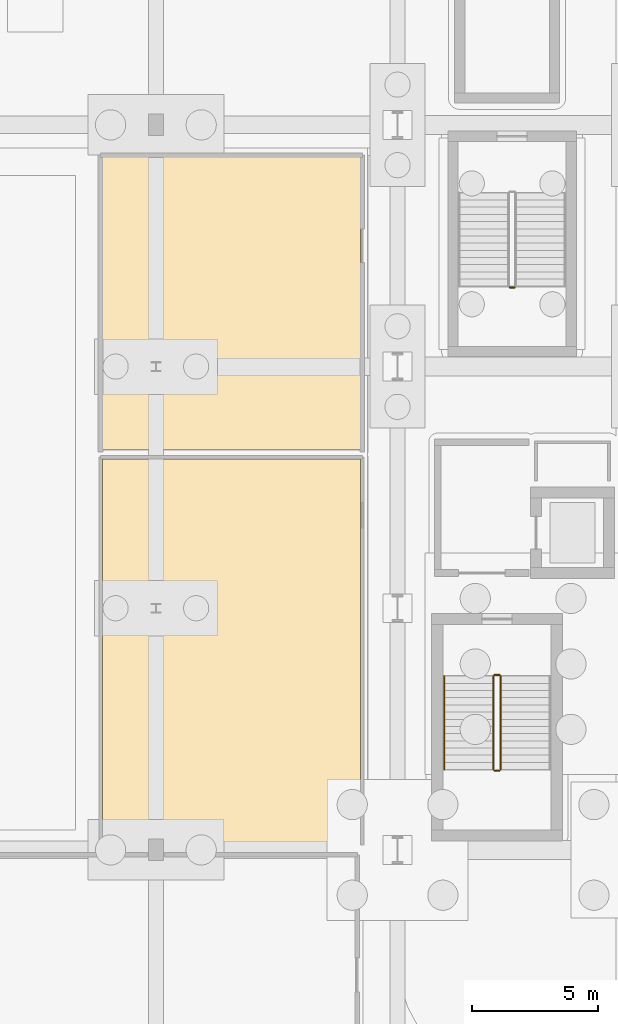
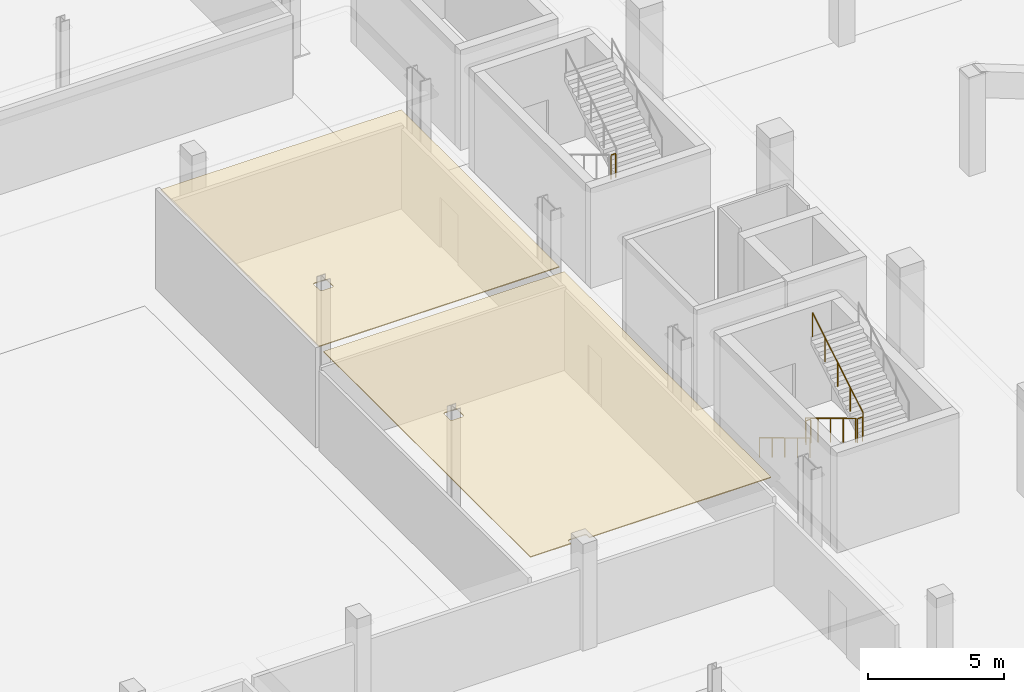
# One storey, part 42 of 67: 6 railings, 2 coverings.
"""IFC4 building model written with IfcOpenShell, lengths in metres."""

from ifc_helpers import new_model, si_unit, direction, frame, origin, origin_2d, place, context, subcontext, project, spatial, polyline, circle, outline, extrude, material, layer, layer_set, type_object, element, save


model = new_model("IFC4")

# Units and contexts
model_context = context("Model", 3, precision=1e-05, world=origin(), true_north=direction((0.0, 1.0)))
body_context = subcontext(model_context, "Body", "Model", "MODEL_VIEW")
ifc_project = project(units=[si_unit("LENGTHUNIT", "METRE"), si_unit("AREAUNIT", "SQUARE_METRE"), si_unit("VOLUMEUNIT", "CUBIC_METRE"), si_unit("PLANEANGLEUNIT", "RADIAN"), si_unit("MASSUNIT", "GRAM", prefix="KILO")], contexts=[model_context])

# Site, building, storey
site_placement = place(None, origin())
site = spatial("IfcSite", under=ifc_project, at=site_placement, CompositionType="ELEMENT")
building_placement = place(site_placement, origin())
building = spatial("IfcBuilding", under=site, at=building_placement, Name="Caelomonte Colonnade Arena", CompositionType="ELEMENT")
storey_placement = place(building_placement, frame((0.0, 0.0, -4.800048828125)))
storey = spatial("IfcBuildingStorey", under=building, at=storey_placement, Name="B1", CompositionType="ELEMENT", Elevation=-4.800048828125)

# Coverings
ifc_material_1 = material(Name="Perforated acoustic mineral-fibre ceiling")
ifc_layer = layer(ifc_material_1, 0.0400390625)
ifc_layer_set = layer_set([ifc_layer], Name="Perforated acoustic mineral-fibre ceiling")
covering_type = type_object("IfcCoveringType", Name="INT-CV-CEIL1", PredefinedType="CEILING", material=ifc_layer_set)
covering_1_placement = place(storey_placement, frame((0.0, 0.0, 4.420166015625)))
element("IfcCovering", 1, at=covering_1_placement, inside=storey, type_object=covering_type, Name="B1 Star Dressing Suite acoustic ceiling", PredefinedType="CEILING", context=body_context, shape_type="SweptSolid", body=[
    extrude(outline(polyline([(45.8798828125, 53.919921875), (45.8798828125, 38.679931640625), (47.60498046875, 38.679931640625), (47.60498046875, 38.840087890625), (47.60546875, 38.847900390625), (47.6064453125, 38.855712890625), (47.6083984375, 38.86328125), (47.611083984375, 38.87060546875), (47.614501953125, 38.877685546875), (47.618408203125, 38.884521484375), (47.623291015625, 38.890869140625), (47.62841796875, 38.896484375), (47.63427734375, 38.90185546875), (47.640625, 38.906494140625), (47.647216796875, 38.91064453125), (47.654296875, 38.913818359375), (47.661865234375, 38.91650390625), (47.66943359375, 38.91845703125), (47.67724609375, 38.919677734375), (47.68505859375, 38.919921875), (48.31494140625, 38.919921875), (48.32275390625, 38.919677734375), (48.33056640625, 38.91845703125), (48.338134765625, 38.91650390625), (48.345703125, 38.913818359375), (48.352783203125, 38.91064453125), (48.359375, 38.906494140625), (48.36572265625, 38.90185546875), (48.37158203125, 38.896484375), (48.376708984375, 38.890869140625), (48.381591796875, 38.884521484375), (48.385498046875, 38.877685546875), (48.388916015625, 38.87060546875), (48.3916015625, 38.86328125), (48.3935546875, 38.855712890625), (48.39453125, 38.847900390625), (48.39501953125, 38.840087890625), (48.39501953125, 38.679931640625), (56.1201171875, 38.679931640625), (56.1201171875, 53.919921875), (45.8798828125, 53.919921875)]), holes=[polyline([(47.718505859375, 47.791015625), (47.718017578125, 47.798828125), (47.718017578125, 48.201171875), (47.718505859375, 48.208984375), (47.719482421875, 48.216796875), (47.721435546875, 48.224365234375), (47.72412109375, 48.231689453125), (47.727294921875, 48.239013671875), (47.7314453125, 48.24560546875), (47.736083984375, 48.251953125), (47.741455078125, 48.2578125), (47.747314453125, 48.262939453125), (47.753662109375, 48.267578125), (47.76025390625, 48.271728515625), (47.767333984375, 48.275146484375), (47.77490234375, 48.27783203125), (47.782470703125, 48.27978515625), (47.790283203125, 48.28076171875), (47.798095703125, 48.28125), (48.201904296875, 48.28125), (48.209716796875, 48.28076171875), (48.217529296875, 48.27978515625), (48.22509765625, 48.27783203125), (48.232666015625, 48.275146484375), (48.23974609375, 48.271728515625), (48.246337890625, 48.267578125), (48.252685546875, 48.262939453125), (48.258544921875, 48.2578125), (48.263916015625, 48.251953125), (48.2685546875, 48.24560546875), (48.272705078125, 48.239013671875), (48.27587890625, 48.231689453125), (48.278564453125, 48.224365234375), (48.280517578125, 48.216796875), (48.281494140625, 48.208984375), (48.281982421875, 48.201171875), (48.281982421875, 47.798828125), (48.281494140625, 47.791015625), (48.280517578125, 47.783203125), (48.278564453125, 47.775634765625), (48.27587890625, 47.768310546875), (48.272705078125, 47.760986328125), (48.2685546875, 47.75439453125), (48.263916015625, 47.748046875), (48.258544921875, 47.7421875), (48.252685546875, 47.737060546875), (48.246337890625, 47.732421875), (48.23974609375, 47.728271484375), (48.232666015625, 47.724853515625), (48.22509765625, 47.72216796875), (48.217529296875, 47.72021484375), (48.209716796875, 47.71923828125), (48.201904296875, 47.71875), (47.798095703125, 47.71875), (47.790283203125, 47.71923828125), (47.782470703125, 47.72021484375), (47.77490234375, 47.72216796875), (47.767333984375, 47.724853515625), (47.76025390625, 47.728271484375), (47.753662109375, 47.732421875), (47.747314453125, 47.737060546875), (47.741455078125, 47.7421875), (47.736083984375, 47.748046875), (47.7314453125, 47.75439453125), (47.727294921875, 47.760986328125), (47.72412109375, 47.768310546875), (47.721435546875, 47.775634765625), (47.719482421875, 47.783203125), (47.718505859375, 47.791015625)])]), origin(), (0.0, 0.0, 1.0), 0.039794921875),
])
covering_2_placement = place(storey_placement, frame((0.0, 0.0, 4.420166015625)))
element("IfcCovering", 2, at=covering_2_placement, inside=storey, type_object=covering_type, Name="B1 Doping Control Clinic acoustic ceiling", PredefinedType="CEILING", context=body_context, shape_type="SweptSolid", body=[
    extrude(outline(polyline([(56.1201171875, 65.919921875), (45.8798828125, 65.919921875), (45.8798828125, 54.280029296875), (56.1201171875, 54.280029296875), (56.1201171875, 65.919921875)]), holes=[polyline([(47.718505859375, 57.39111328125), (47.718017578125, 57.398681640625), (47.718017578125, 57.80126953125), (47.718505859375, 57.80908203125), (47.719482421875, 57.81689453125), (47.721435546875, 57.824462890625), (47.72412109375, 57.831787109375), (47.727294921875, 57.8388671875), (47.7314453125, 57.845703125), (47.736083984375, 57.85205078125), (47.741455078125, 57.85791015625), (47.747314453125, 57.863037109375), (47.753662109375, 57.86767578125), (47.76025390625, 57.871826171875), (47.767333984375, 57.875), (47.77490234375, 57.877685546875), (47.782470703125, 57.879638671875), (47.790283203125, 57.880859375), (47.798095703125, 57.881103515625), (48.201904296875, 57.881103515625), (48.209716796875, 57.880859375), (48.217529296875, 57.879638671875), (48.22509765625, 57.877685546875), (48.232666015625, 57.875), (48.23974609375, 57.871826171875), (48.246337890625, 57.86767578125), (48.252685546875, 57.863037109375), (48.258544921875, 57.85791015625), (48.263916015625, 57.85205078125), (48.2685546875, 57.845703125), (48.272705078125, 57.8388671875), (48.27587890625, 57.831787109375), (48.278564453125, 57.824462890625), (48.280517578125, 57.81689453125), (48.281494140625, 57.80908203125), (48.281982421875, 57.80126953125), (48.281982421875, 57.398681640625), (48.281494140625, 57.39111328125), (48.280517578125, 57.38330078125), (48.278564453125, 57.37548828125), (48.27587890625, 57.3681640625), (48.272705078125, 57.361083984375), (48.2685546875, 57.3544921875), (48.263916015625, 57.347900390625), (48.258544921875, 57.34228515625), (48.252685546875, 57.3369140625), (48.246337890625, 57.332275390625), (48.23974609375, 57.328125), (48.232666015625, 57.324951171875), (48.22509765625, 57.322265625), (48.217529296875, 57.3203125), (48.209716796875, 57.319091796875), (48.201904296875, 57.31884765625), (47.798095703125, 57.31884765625), (47.790283203125, 57.319091796875), (47.782470703125, 57.3203125), (47.77490234375, 57.322265625), (47.767333984375, 57.324951171875), (47.76025390625, 57.328125), (47.753662109375, 57.332275390625), (47.747314453125, 57.3369140625), (47.741455078125, 57.34228515625), (47.736083984375, 57.347900390625), (47.7314453125, 57.3544921875), (47.727294921875, 57.361083984375), (47.72412109375, 57.3681640625), (47.721435546875, 57.37548828125), (47.719482421875, 57.38330078125), (47.718505859375, 57.39111328125)])]), origin(), (0.0, 0.0, 1.0), 0.039794921875),
])

# Railings
ifc_material_2 = material(Name="Painted galvanized steel stair guard", Category="steel")
railing_type_1 = type_object("IfcRailingType", Name="INT-RL-GRD", PredefinedType="GUARDRAIL", material=ifc_material_2)
railing_1_placement = place(storey_placement, frame((61.39990234375, 45.300048828125, 0.17138671875)))
element("IfcRailing", 3, at=railing_1_placement, inside=storey, type_object=railing_type_1, Name="B1 ST-01 stair guard 1", PredefinedType="GUARDRAIL", context=body_context, shape_type="SweptSolid", body=[
    extrude(circle(Radius=0.02392578125, at=origin_2d()), frame((0.0, 0.0, 1.076171875), z_axis=(0.0, -0.856909459561, 0.515466951525), x_axis=(1.0, 0.0, 0.0)), (0.0, 0.0, 1.0), 4.32373046875),
    extrude(circle(Radius=0.02099609375, at=origin_2d()), origin(), (0.0, 0.0, 1.0), 1.048095703125),
    extrude(circle(Radius=0.02099609375, at=origin_2d()), frame((0.0, -0.92626953125, 0.55712890625)), (0.0, 0.0, 1.0), 1.048095703125),
    extrude(circle(Radius=0.02099609375, at=origin_2d()), frame((0.0, -1.8525390625, 1.1142578125)), (0.0, 0.0, 1.0), 1.048095703125),
    extrude(circle(Radius=0.02099609375, at=origin_2d()), frame((0.0, -2.77880859375, 1.671630859375)), (0.0, 0.0, 1.0), 1.048095703125),
    extrude(circle(Radius=0.02099609375, at=origin_2d()), frame((0.0, -3.705078125, 2.228759765625)), (0.0, 0.0, 1.0), 1.048095703125),
])
railing_2_placement = place(storey_placement, frame((61.449951171875, 41.544921875, 2.400146484375)))
element("IfcRailing", 4, at=railing_2_placement, inside=storey, type_object=railing_type_1, Name="B1 ST-01 stair guard 2", PredefinedType="GUARDRAIL", context=body_context, shape_type="SweptSolid", body=[
    extrude(circle(Radius=0.02392578125, at=origin_2d()), frame((0.0, 0.0, 1.076171875), z_axis=(1.0, 0.0, 0.0), x_axis=(0.0, 1.0, 0.0)), (0.0, 0.0, 1.0), 0.199951171875),
    extrude(circle(Radius=0.02099609375, at=origin_2d()), origin(), (0.0, 0.0, 1.0), 1.048095703125),
    extrude(circle(Radius=0.02099609375, at=origin_2d()), frame((0.199951171875, 0.0, 0.0)), (0.0, 0.0, 1.0), 1.048095703125),
])
railing_3_placement = place(storey_placement, frame((61.699951171875, 41.594970703125, 2.571533203125)))
element("IfcRailing", 5, at=railing_3_placement, inside=storey, type_object=railing_type_1, Name="B1 ST-01 stair guard 3", PredefinedType="GUARDRAIL", context=body_context, shape_type="SweptSolid", body=[
    extrude(circle(Radius=0.02392578125, at=origin_2d()), frame((0.0, 0.0, 1.076171875), z_axis=(0.0, 0.856934400257, 0.515425487977), x_axis=(-1.0, 0.0, 0.0)), (0.0, 0.0, 1.0), 4.32373046875),
    extrude(circle(Radius=0.02099609375, at=origin_2d()), origin(), (0.0, 0.0, 1.0), 1.048095703125),
    extrude(circle(Radius=0.02099609375, at=origin_2d()), frame((0.0, 0.92626953125, 0.55712890625)), (0.0, 0.0, 1.0), 1.048095703125),
    extrude(circle(Radius=0.02099609375, at=origin_2d()), frame((0.0, 1.8525390625, 1.1142578125)), (0.0, 0.0, 1.0), 1.048095703125),
    extrude(circle(Radius=0.02099609375, at=origin_2d()), frame((0.0, 2.77880859375, 1.67138671875)), (0.0, 0.0, 1.0), 1.048095703125),
    extrude(circle(Radius=0.02099609375, at=origin_2d()), frame((0.0, 3.705078125, 2.228515625)), (0.0, 0.0, 1.0), 1.048095703125),
])
for number, where, name in (
    (6, (61.449951171875, 45.35009765625, 0.0), "B1 ST-01 stair guard 4"),
    (7, (62.050048828125, 60.7451171875, 2.400146484375), "B1 ST-09 stair guard 2"),
):
    element("IfcRailing", number, at=place(storey_placement, frame(where)), inside=storey, type_object=railing_type_1, Name=name, PredefinedType="GUARDRAIL", context=body_context, shape_type="SweptSolid", body=[
        extrude(circle(Radius=0.02392578125, at=origin_2d()), frame((0.0, 0.0, 1.076171875), z_axis=(1.0, 0.0, 0.0), x_axis=(0.0, 1.0, 0.0)), (0.0, 0.0, 1.0), 0.199951171875),
        extrude(circle(Radius=0.02099609375, at=origin_2d()), origin(), (0.0, 0.0, 1.0), 1.048095703125),
        extrude(circle(Radius=0.02099609375, at=origin_2d()), frame((0.199951171875, 0.0, 0.0)), (0.0, 0.0, 1.0), 1.048095703125),
    ])
ifc_material_3 = material(Name="Brushed stainless steel stair handrail", Category="steel")
railing_type_2 = type_object("IfcRailingType", Name="INT-RL-HR", PredefinedType="HANDRAIL", material=ifc_material_3)
railing_4_placement = place(storey_placement, frame((59.449951171875, 45.300048828125, 0.17138671875)))
element("IfcRailing", 8, at=railing_4_placement, inside=storey, type_object=railing_type_2, Name="B1 ST-01 stair handrail 1", PredefinedType="HANDRAIL", context=body_context, shape_type="SweptSolid", body=[
    extrude(circle(Radius=0.02392578125, at=origin_2d()), frame((0.0, 0.0, 0.8759765625), z_axis=(0.0, -0.856909459561, 0.515466951525), x_axis=(1.0, 0.0, 0.0)), (0.0, 0.0, 1.0), 4.32373046875),
    extrude(circle(Radius=0.02099609375, at=origin_2d()), origin(), (0.0, 0.0, 1.0), 0.847900390625),
    extrude(circle(Radius=0.02099609375, at=origin_2d()), frame((0.0, -0.92626953125, 0.55712890625)), (0.0, 0.0, 1.0), 0.847900390625),
    extrude(circle(Radius=0.02099609375, at=origin_2d()), frame((0.0, -1.8525390625, 1.1142578125)), (0.0, 0.0, 1.0), 0.847900390625),
    extrude(circle(Radius=0.02099609375, at=origin_2d()), frame((0.0, -2.77880859375, 1.671630859375)), (0.0, 0.0, 1.0), 0.847900390625),
    extrude(circle(Radius=0.02099609375, at=origin_2d()), frame((0.0, -3.705078125, 2.228759765625)), (0.0, 0.0, 1.0), 0.847900390625),
])

save(model, "model.ifc")
